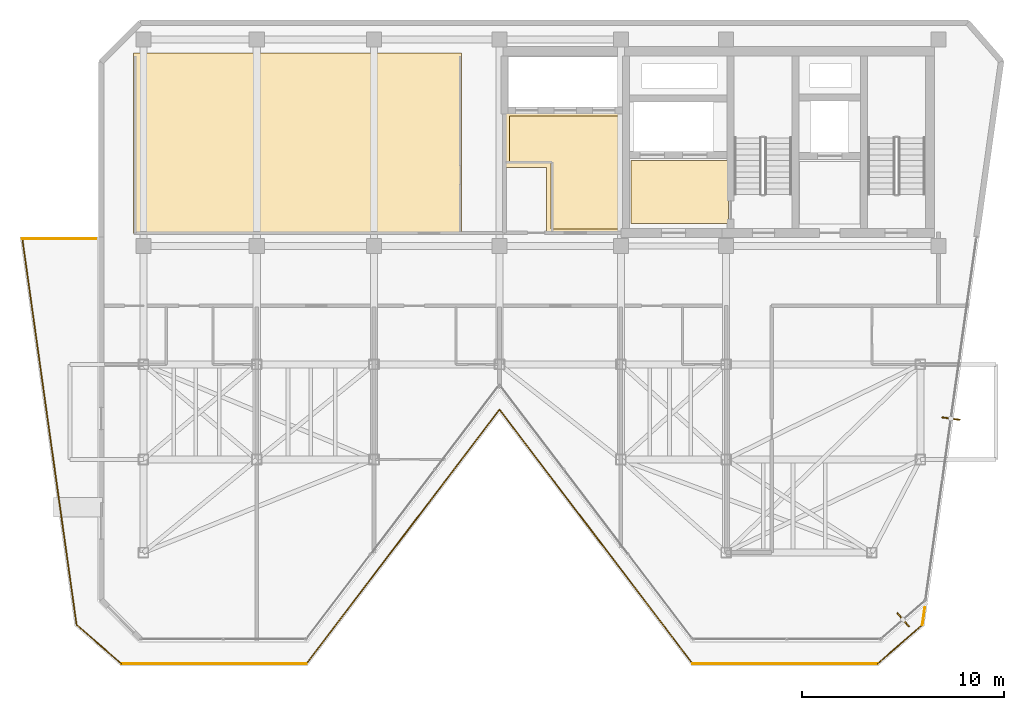
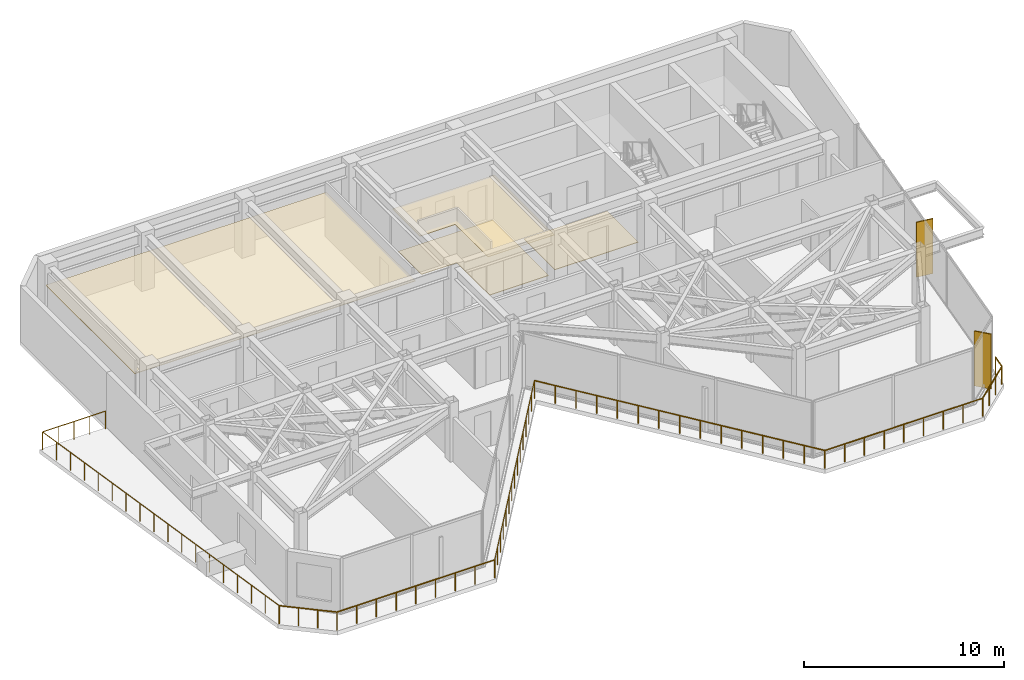
# One storey, part 19 of 20: 9 railings, 4 coverings, 2 shading devices.
"""IFC4 building model written with IfcOpenShell, lengths in metres."""

from ifc_helpers import new_model, si_unit, direction, frame, origin, origin_2d, place, context, subcontext, project, spatial, polyline, rectangle, circle, outline, extrude, material, layer, layer_set, type_object, element, save


model = new_model("IFC4")

# Units and contexts
model_context = context("Model", 3, precision=1e-05, world=origin(), true_north=direction((0.0, 1.0)))
body_context = subcontext(model_context, "Body", "Model", "MODEL_VIEW")
ifc_project = project(units=[si_unit("LENGTHUNIT", "METRE"), si_unit("AREAUNIT", "SQUARE_METRE"), si_unit("VOLUMEUNIT", "CUBIC_METRE"), si_unit("PLANEANGLEUNIT", "RADIAN"), si_unit("MASSUNIT", "GRAM", prefix="KILO")], contexts=[model_context])

# Site, building, storey
site_placement = place(None, origin())
site = spatial("IfcSite", under=ifc_project, at=site_placement, CompositionType="ELEMENT")
building_placement = place(site_placement, origin())
building = spatial("IfcBuilding", under=site, at=building_placement, Name="Kravanh Interchange Tower", CompositionType="ELEMENT")
storey_placement = place(building_placement, frame((0.0, 0.0, 245.39990234375)))
storey = spatial("IfcBuildingStorey", under=building, at=storey_placement, Name="L59", CompositionType="ELEMENT", Elevation=245.39990234375)

# Coverings
ifc_material_1 = material(Name="Cementitious Terrazzo Tile")
ifc_layer_1 = layer(ifc_material_1, 0.030029296875)
ifc_layer_set_1 = layer_set([ifc_layer_1], Name="Honed Terrazzo Lobby Flooring 30mm")
covering_type_1 = type_object("IfcCoveringType", Name="Honed Terrazzo Lobby Flooring 30mm", PredefinedType="FLOORING", material=ifc_layer_set_1)
covering_1_placement = place(storey_placement, origin())
element("IfcCovering", 1, at=covering_1_placement, inside=storey, type_object=covering_type_1, Name="L59 Firefighting Lobby Floor Finish", PredefinedType="FLOORING", context=body_context, shape_type="SweptSolid", body=[
    extrude(outline(polyline([(56.1201171875, 38.4599609375), (51.300048828125, 38.4599609375), (51.300048828125, 41.580078125), (56.1201171875, 41.580078125), (56.1201171875, 38.4599609375)])), origin(), (0.0, 0.0, 1.0), 0.030029296875),
])
covering_2_placement = place(storey_placement, origin())
element("IfcCovering", 2, at=covering_2_placement, inside=storey, type_object=covering_type_1, Name="L59 High-Rise Lift Lobby Floor Finish", PredefinedType="FLOORING", context=body_context, shape_type="SweptSolid", body=[
    extrude(outline(polyline([(50.77001953125, 43.77001953125), (50.77001953125, 38.179931640625), (47.35009765625, 38.179931640625), (47.35009765625, 41.449951171875), (45.300048828125, 41.449951171875), (45.300048828125, 43.77001953125), (50.77001953125, 43.77001953125)])), origin(), (0.0, 0.0, 1.0), 0.030029296875),
])
ifc_material_2 = material(Name="Anodised Bronze Aluminium Acoustic Baffle", Category="aluminium")
ifc_layer_2 = layer(ifc_material_2, 0.034912109375)
ifc_layer_set_2 = layer_set([ifc_layer_2], Name="Linear Bronze Baffle Feature Ceiling 35mm")
covering_type_2 = type_object("IfcCoveringType", Name="Linear Bronze Baffle Feature Ceiling 35mm", PredefinedType="CEILING", material=ifc_layer_set_2)
covering_3_placement = place(storey_placement, frame((0.0, 0.0, 2.550048828125)))
element("IfcCovering", 3, at=covering_3_placement, inside=storey, type_object=covering_type_2, Name="L59 Guest Wellness Fitness Lounge Suspended Ceiling", PredefinedType="CEILING", context=body_context, shape_type="SweptSolid", body=[
    extrude(outline(polyline([(42.929931640625, 46.889892578125), (42.929931640625, 37.9599609375), (26.7099609375, 37.9599609375), (26.7099609375, 46.889892578125), (42.929931640625, 46.889892578125)])), origin(), (0.0, 0.0, 1.0), 0.03515625),
])
ifc_material_3 = material(Name="Acoustic Mineral Fibre Tile on Aluminium Grid", Category="aluminium")
ifc_layer_3 = layer(ifc_material_3, 0.02490234375)
ifc_layer_set_3 = layer_set([ifc_layer_3], Name="Perforated Acoustic Mineral Ceiling 25mm")
covering_type_3 = type_object("IfcCoveringType", Name="Perforated Acoustic Mineral Ceiling 25mm", PredefinedType="CEILING", material=ifc_layer_set_3)
covering_4_placement = place(storey_placement, frame((0.0, 0.0, 2.550048828125)))
element("IfcCovering", 4, at=covering_4_placement, inside=storey, type_object=covering_type_3, Name="L59 High-Rise Lift Lobby Suspended Ceiling", PredefinedType="CEILING", context=body_context, shape_type="SweptSolid", body=[
    extrude(outline(polyline([(47.1298828125, 37.9599609375), (47.1298828125, 41.22998046875), (45.080078125, 41.22998046875), (45.080078125, 43.989990234375), (50.989990234375, 43.989990234375), (50.989990234375, 37.9599609375), (47.1298828125, 37.9599609375)])), origin(), (0.0, 0.0, 1.0), 0.025146484375),
])

# Railings
ifc_material_4 = material(Name="Stainless Steel 316", Category="steel")
ifc_layer_4 = layer(ifc_material_4, 0.06005859375)
ifc_layer_set_4 = layer_set([ifc_layer_4], Name="Perimeter Balcony and Terrace Guardrail Stainless 316 1120mm")
railing_type = type_object("IfcRailingType", Name="Perimeter Balcony and Terrace Guardrail Stainless 316 1120mm", PredefinedType="GUARDRAIL", material=ifc_layer_set_4)
railing_1_placement = place(storey_placement, frame((63.479248046875, 16.699951171875, 0.0)))
element("IfcRailing", 5, at=railing_1_placement, inside=storey, type_object=railing_type, Name="L59 Stepped Terrace Guardrail 1", PredefinedType="GUARDRAIL", context=body_context, shape_type="SweptSolid", body=[
    extrude(circle(Radius=0.02392578125, at=origin_2d()), frame((0.0, 0.0, 1.09619140625), z_axis=(-1.0, 0.0, 0.0), x_axis=(0.0, -1.0, 0.0)), (0.0, 0.0, 1.0), 9.129638671875),
    extrude(circle(Radius=0.02099609375, at=origin_2d()), origin(), (0.0, 0.0, 1.0), 1.072021484375),
    extrude(circle(Radius=0.02099609375, at=origin_2d()), frame((-1.14111328125, 0.0, 0.0)), (0.0, 0.0, 1.0), 1.072021484375),
    extrude(circle(Radius=0.02099609375, at=origin_2d()), frame((-2.282470703125, 0.0, 0.0)), (0.0, 0.0, 1.0), 1.072021484375),
    extrude(circle(Radius=0.02099609375, at=origin_2d()), frame((-3.423583984375, 0.0, 0.0)), (0.0, 0.0, 1.0), 1.072021484375),
    extrude(circle(Radius=0.02099609375, at=origin_2d()), frame((-4.56494140625, 0.0, 0.0)), (0.0, 0.0, 1.0), 1.072021484375),
    extrude(circle(Radius=0.02099609375, at=origin_2d()), frame((-5.7060546875, 0.0, 0.0)), (0.0, 0.0, 1.0), 1.072021484375),
    extrude(circle(Radius=0.02099609375, at=origin_2d()), frame((-6.84716796875, 0.0, 0.0)), (0.0, 0.0, 1.0), 1.072021484375),
    extrude(circle(Radius=0.02099609375, at=origin_2d()), frame((-7.988525390625, 0.0, 0.0)), (0.0, 0.0, 1.0), 1.072021484375),
    extrude(circle(Radius=0.02099609375, at=origin_2d()), frame((-9.129638671875, 0.0, 0.0)), (0.0, 0.0, 1.0), 1.072021484375),
])
railing_2_placement = place(storey_placement, frame((54.349609375, 16.699951171875, 0.0)))
element("IfcRailing", 6, at=railing_2_placement, inside=storey, type_object=railing_type, Name="L59 Stepped Terrace Guardrail 2", PredefinedType="GUARDRAIL", context=body_context, shape_type="SweptSolid", body=[
    extrude(circle(Radius=0.02392578125, at=origin_2d()), frame((0.0, 0.0, 1.09619140625), z_axis=(-0.605076599766, 0.796167261582, 0.0), x_axis=(-0.796167261582, -0.605076599766, 0.0)), (0.0, 0.0, 1.0), 15.782470703125),
    extrude(circle(Radius=0.02099609375, at=origin_2d()), origin(), (0.0, 0.0, 1.0), 1.072021484375),
    extrude(circle(Radius=0.02099609375, at=origin_2d()), frame((-0.68212890625, 0.8974609375, 0.0)), (0.0, 0.0, 1.0), 1.072021484375),
    extrude(circle(Radius=0.02099609375, at=origin_2d()), frame((-1.3642578125, 1.795166015625, 0.0)), (0.0, 0.0, 1.0), 1.072021484375),
    extrude(circle(Radius=0.02099609375, at=origin_2d()), frame((-2.04638671875, 2.692626953125, 0.0)), (0.0, 0.0, 1.0), 1.072021484375),
    extrude(circle(Radius=0.02099609375, at=origin_2d()), frame((-2.728515625, 3.590087890625, 0.0)), (0.0, 0.0, 1.0), 1.072021484375),
    extrude(circle(Radius=0.02099609375, at=origin_2d()), frame((-3.41064453125, 4.487548828125, 0.0)), (0.0, 0.0, 1.0), 1.072021484375),
    extrude(circle(Radius=0.02099609375, at=origin_2d()), frame((-4.0927734375, 5.38525390625, 0.0)), (0.0, 0.0, 1.0), 1.072021484375),
    extrude(circle(Radius=0.02099609375, at=origin_2d()), frame((-4.77490234375, 6.28271484375, 0.0)), (0.0, 0.0, 1.0), 1.072021484375),
    extrude(circle(Radius=0.02099609375, at=origin_2d()), frame((-5.456787109375, 7.18017578125, 0.0)), (0.0, 0.0, 1.0), 1.072021484375),
    extrude(circle(Radius=0.02099609375, at=origin_2d()), frame((-6.138916015625, 8.077880859375, 0.0)), (0.0, 0.0, 1.0), 1.072021484375),
    extrude(circle(Radius=0.02099609375, at=origin_2d()), frame((-6.821044921875, 8.975341796875, 0.0)), (0.0, 0.0, 1.0), 1.072021484375),
    extrude(circle(Radius=0.02099609375, at=origin_2d()), frame((-7.503173828125, 9.872802734375, 0.0)), (0.0, 0.0, 1.0), 1.072021484375),
    extrude(circle(Radius=0.02099609375, at=origin_2d()), frame((-8.185302734375, 10.770263671875, 0.0)), (0.0, 0.0, 1.0), 1.072021484375),
    extrude(circle(Radius=0.02099609375, at=origin_2d()), frame((-8.867431640625, 11.66796875, 0.0)), (0.0, 0.0, 1.0), 1.072021484375),
    extrude(circle(Radius=0.02099609375, at=origin_2d()), frame((-9.549560546875, 12.5654296875, 0.0)), (0.0, 0.0, 1.0), 1.072021484375),
])
railing_3_placement = place(storey_placement, frame((44.800048828125, 29.265380859375, 0.0)))
element("IfcRailing", 7, at=railing_3_placement, inside=storey, type_object=railing_type, Name="L59 Stepped Terrace Guardrail 3", PredefinedType="GUARDRAIL", context=body_context, shape_type="SweptSolid", body=[
    extrude(circle(Radius=0.02392578125, at=origin_2d()), frame((0.0, 0.0, 1.09619140625), z_axis=(-0.605076599766, -0.796167261582, 0.0), x_axis=(0.796167261582, -0.605076599766, 0.0)), (0.0, 0.0, 1.0), 15.782470703125),
    extrude(circle(Radius=0.02099609375, at=origin_2d()), origin(), (0.0, 0.0, 1.0), 1.072021484375),
    extrude(circle(Radius=0.02099609375, at=origin_2d()), frame((-0.68212890625, -0.8974609375, 0.0)), (0.0, 0.0, 1.0), 1.072021484375),
    extrude(circle(Radius=0.02099609375, at=origin_2d()), frame((-1.3642578125, -1.795166015625, 0.0)), (0.0, 0.0, 1.0), 1.072021484375),
    extrude(circle(Radius=0.02099609375, at=origin_2d()), frame((-2.04638671875, -2.692626953125, 0.0)), (0.0, 0.0, 1.0), 1.072021484375),
    extrude(circle(Radius=0.02099609375, at=origin_2d()), frame((-2.728515625, -3.590087890625, 0.0)), (0.0, 0.0, 1.0), 1.072021484375),
    extrude(circle(Radius=0.02099609375, at=origin_2d()), frame((-3.41064453125, -4.487548828125, 0.0)), (0.0, 0.0, 1.0), 1.072021484375),
    extrude(circle(Radius=0.02099609375, at=origin_2d()), frame((-4.0927734375, -5.38525390625, 0.0)), (0.0, 0.0, 1.0), 1.072021484375),
    extrude(circle(Radius=0.02099609375, at=origin_2d()), frame((-4.77490234375, -6.28271484375, 0.0)), (0.0, 0.0, 1.0), 1.072021484375),
    extrude(circle(Radius=0.02099609375, at=origin_2d()), frame((-5.456787109375, -7.18017578125, 0.0)), (0.0, 0.0, 1.0), 1.072021484375),
    extrude(circle(Radius=0.02099609375, at=origin_2d()), frame((-6.138916015625, -8.077880859375, 0.0)), (0.0, 0.0, 1.0), 1.072021484375),
    extrude(circle(Radius=0.02099609375, at=origin_2d()), frame((-6.821044921875, -8.975341796875, 0.0)), (0.0, 0.0, 1.0), 1.072021484375),
    extrude(circle(Radius=0.02099609375, at=origin_2d()), frame((-7.503173828125, -9.872802734375, 0.0)), (0.0, 0.0, 1.0), 1.072021484375),
    extrude(circle(Radius=0.02099609375, at=origin_2d()), frame((-8.185302734375, -10.770263671875, 0.0)), (0.0, 0.0, 1.0), 1.072021484375),
    extrude(circle(Radius=0.02099609375, at=origin_2d()), frame((-8.867431640625, -11.66796875, 0.0)), (0.0, 0.0, 1.0), 1.072021484375),
    extrude(circle(Radius=0.02099609375, at=origin_2d()), frame((-9.549560546875, -12.5654296875, 0.0)), (0.0, 0.0, 1.0), 1.072021484375),
])
railing_4_placement = place(storey_placement, frame((35.25048828125, 16.699951171875, 0.0)))
element("IfcRailing", 8, at=railing_4_placement, inside=storey, type_object=railing_type, Name="L59 Stepped Terrace Guardrail 4", PredefinedType="GUARDRAIL", context=body_context, shape_type="SweptSolid", body=[
    extrude(circle(Radius=0.02392578125, at=origin_2d()), frame((0.0, 0.0, 1.09619140625), z_axis=(-1.0, 0.0, 0.0), x_axis=(0.0, -1.0, 0.0)), (0.0, 0.0, 1.0), 9.1298828125),
    extrude(circle(Radius=0.02099609375, at=origin_2d()), origin(), (0.0, 0.0, 1.0), 1.072021484375),
    extrude(circle(Radius=0.02099609375, at=origin_2d()), frame((-1.14111328125, 0.0, 0.0)), (0.0, 0.0, 1.0), 1.072021484375),
    extrude(circle(Radius=0.02099609375, at=origin_2d()), frame((-2.282470703125, 0.0, 0.0)), (0.0, 0.0, 1.0), 1.072021484375),
    extrude(circle(Radius=0.02099609375, at=origin_2d()), frame((-3.423828125, 0.0, 0.0)), (0.0, 0.0, 1.0), 1.072021484375),
    extrude(circle(Radius=0.02099609375, at=origin_2d()), frame((-4.56494140625, 0.0, 0.0)), (0.0, 0.0, 1.0), 1.072021484375),
    extrude(circle(Radius=0.02099609375, at=origin_2d()), frame((-5.7060546875, 0.0, 0.0)), (0.0, 0.0, 1.0), 1.072021484375),
    extrude(circle(Radius=0.02099609375, at=origin_2d()), frame((-6.847412109375, 0.0, 0.0)), (0.0, 0.0, 1.0), 1.072021484375),
    extrude(circle(Radius=0.02099609375, at=origin_2d()), frame((-7.98876953125, 0.0, 0.0)), (0.0, 0.0, 1.0), 1.072021484375),
    extrude(circle(Radius=0.02099609375, at=origin_2d()), frame((-9.1298828125, 0.0, 0.0)), (0.0, 0.0, 1.0), 1.072021484375),
])
railing_5_placement = place(storey_placement, frame((26.12060546875, 16.699951171875, 0.0)))
element("IfcRailing", 9, at=railing_5_placement, inside=storey, type_object=railing_type, Name="L59 Stepped Terrace Guardrail 5", PredefinedType="GUARDRAIL", context=body_context, shape_type="SweptSolid", body=[
    extrude(circle(Radius=0.02392578125, at=origin_2d()), frame((0.0, 0.0, 1.09619140625), z_axis=(-0.754725125489, 0.65604114578, 0.0), x_axis=(-0.65604114578, -0.754725125489, 0.0)), (0.0, 0.0, 1.0), 2.944091796875),
    extrude(circle(Radius=0.02099609375, at=origin_2d()), origin(), (0.0, 0.0, 1.0), 1.072021484375),
    extrude(circle(Radius=0.02099609375, at=origin_2d()), frame((-0.74072265625, 0.643798828125, 0.0)), (0.0, 0.0, 1.0), 1.072021484375),
    extrude(circle(Radius=0.02099609375, at=origin_2d()), frame((-1.481201171875, 1.28759765625, 0.0)), (0.0, 0.0, 1.0), 1.072021484375),
    extrude(circle(Radius=0.02099609375, at=origin_2d()), frame((-2.221923828125, 1.931396484375, 0.0)), (0.0, 0.0, 1.0), 1.072021484375),
])
railing_6_placement = place(storey_placement, frame((23.898681640625, 18.63134765625, 0.0)))
element("IfcRailing", 10, at=railing_6_placement, inside=storey, type_object=railing_type, Name="L59 Stepped Terrace Guardrail 6", PredefinedType="GUARDRAIL", context=body_context, shape_type="SweptSolid", body=[
    extrude(circle(Radius=0.02392578125, at=origin_2d()), frame((0.0, 0.0, 1.09619140625), z_axis=(-0.139173823392, 0.99026796721, 0.0), x_axis=(-0.99026796721, -0.139173823392, 0.0)), (0.0, 0.0, 1.0), 19.256103515625),
    extrude(circle(Radius=0.02099609375, at=origin_2d()), origin(), (0.0, 0.0, 1.0), 1.072021484375),
    extrude(circle(Radius=0.02099609375, at=origin_2d()), frame((-0.15771484375, 1.12158203125, 0.0)), (0.0, 0.0, 1.0), 1.072021484375),
    extrude(circle(Radius=0.02099609375, at=origin_2d()), frame((-0.315185546875, 2.243408203125, 0.0)), (0.0, 0.0, 1.0), 1.072021484375),
    extrude(circle(Radius=0.02099609375, at=origin_2d()), frame((-0.472900390625, 3.364990234375, 0.0)), (0.0, 0.0, 1.0), 1.072021484375),
    extrude(circle(Radius=0.02099609375, at=origin_2d()), frame((-0.630615234375, 4.48681640625, 0.0)), (0.0, 0.0, 1.0), 1.072021484375),
    extrude(circle(Radius=0.02099609375, at=origin_2d()), frame((-0.788330078125, 5.6083984375, 0.0)), (0.0, 0.0, 1.0), 1.072021484375),
    extrude(circle(Radius=0.02099609375, at=origin_2d()), frame((-0.94580078125, 6.72998046875, 0.0)), (0.0, 0.0, 1.0), 1.072021484375),
    extrude(circle(Radius=0.02099609375, at=origin_2d()), frame((-1.103515625, 7.851806640625, 0.0)), (0.0, 0.0, 1.0), 1.072021484375),
    extrude(circle(Radius=0.02099609375, at=origin_2d()), frame((-1.26123046875, 8.973388671875, 0.0)), (0.0, 0.0, 1.0), 1.072021484375),
    extrude(circle(Radius=0.02099609375, at=origin_2d()), frame((-1.418701171875, 10.09521484375, 0.0)), (0.0, 0.0, 1.0), 1.072021484375),
    extrude(circle(Radius=0.02099609375, at=origin_2d()), frame((-1.576416015625, 11.216796875, 0.0)), (0.0, 0.0, 1.0), 1.072021484375),
    extrude(circle(Radius=0.02099609375, at=origin_2d()), frame((-1.734130859375, 12.338623046875, 0.0)), (0.0, 0.0, 1.0), 1.072021484375),
    extrude(circle(Radius=0.02099609375, at=origin_2d()), frame((-1.8916015625, 13.460205078125, 0.0)), (0.0, 0.0, 1.0), 1.072021484375),
    extrude(circle(Radius=0.02099609375, at=origin_2d()), frame((-2.04931640625, 14.581787109375, 0.0)), (0.0, 0.0, 1.0), 1.072021484375),
    extrude(circle(Radius=0.02099609375, at=origin_2d()), frame((-2.20703125, 15.70361328125, 0.0)), (0.0, 0.0, 1.0), 1.072021484375),
    extrude(circle(Radius=0.02099609375, at=origin_2d()), frame((-2.36474609375, 16.8251953125, 0.0)), (0.0, 0.0, 1.0), 1.072021484375),
    extrude(circle(Radius=0.02099609375, at=origin_2d()), frame((-2.522216796875, 17.947021484375, 0.0)), (0.0, 0.0, 1.0), 1.072021484375),
    extrude(circle(Radius=0.02099609375, at=origin_2d()), frame((-2.679931640625, 19.068603515625, 0.0)), (0.0, 0.0, 1.0), 1.072021484375),
])
railing_7_placement = place(storey_placement, frame((21.21875, 37.699951171875, 0.0)))
element("IfcRailing", 11, at=railing_7_placement, inside=storey, type_object=railing_type, Name="L59 Stepped Terrace Guardrail 7", PredefinedType="GUARDRAIL", context=body_context, shape_type="SweptSolid", body=[
    extrude(circle(Radius=0.02392578125, at=origin_2d()), frame((0.0, 0.0, 1.09619140625), z_axis=(1.0, 0.0, 0.0), x_axis=(0.0, 1.0, 0.0)), (0.0, 0.0, 1.0), 3.641357421875),
    extrude(circle(Radius=0.02099609375, at=origin_2d()), origin(), (0.0, 0.0, 1.0), 1.072021484375),
    extrude(circle(Radius=0.02099609375, at=origin_2d()), frame((0.910400390625, 0.0, 0.0)), (0.0, 0.0, 1.0), 1.072021484375),
    extrude(circle(Radius=0.02099609375, at=origin_2d()), frame((1.82080078125, 0.0, 0.0)), (0.0, 0.0, 1.0), 1.072021484375),
    extrude(circle(Radius=0.02099609375, at=origin_2d()), frame((2.73095703125, 0.0, 0.0)), (0.0, 0.0, 1.0), 1.072021484375),
    extrude(circle(Radius=0.02099609375, at=origin_2d()), frame((3.641357421875, 0.0, 0.0)), (0.0, 0.0, 1.0), 1.072021484375),
])
railing_8_placement = place(storey_placement, frame((65.819091796875, 19.46923828125, 0.0)))
element("IfcRailing", 12, at=railing_8_placement, inside=storey, type_object=railing_type, Name="L59 Stepped Terrace Guardrail 15", PredefinedType="GUARDRAIL", context=body_context, shape_type="SweptSolid", body=[
    extrude(circle(Radius=0.02392578125, at=origin_2d()), frame((0.0, 0.0, 1.09619140625), z_axis=(-0.139077986597, -0.990281431536, 0.0), x_axis=(0.990281431536, -0.139077986597, 0.0)), (0.0, 0.0, 1.0), 0.84619140625),
    extrude(circle(Radius=0.02099609375, at=origin_2d()), origin(), (0.0, 0.0, 1.0), 1.072021484375),
    extrude(circle(Radius=0.02099609375, at=origin_2d()), frame((-0.11767578125, -0.837890625, 0.0)), (0.0, 0.0, 1.0), 1.072021484375),
])
railing_9_placement = place(storey_placement, frame((65.701416015625, 18.63134765625, 0.0)))
element("IfcRailing", 13, at=railing_9_placement, inside=storey, type_object=railing_type, Name="L59 Stepped Terrace Guardrail 16", PredefinedType="GUARDRAIL", context=body_context, shape_type="SweptSolid", body=[
    extrude(circle(Radius=0.02392578125, at=origin_2d()), frame((0.0, 0.0, 1.09619140625), z_axis=(-0.754760813396, -0.656000087319, 0.0), x_axis=(0.656000087319, -0.754760813396, 0.0)), (0.0, 0.0, 1.0), 2.944091796875),
    extrude(circle(Radius=0.02099609375, at=origin_2d()), origin(), (0.0, 0.0, 1.0), 1.072021484375),
    extrude(circle(Radius=0.02099609375, at=origin_2d()), frame((-0.74072265625, -0.643798828125, 0.0)), (0.0, 0.0, 1.0), 1.072021484375),
    extrude(circle(Radius=0.02099609375, at=origin_2d()), frame((-1.4814453125, -1.28759765625, 0.0)), (0.0, 0.0, 1.0), 1.072021484375),
    extrude(circle(Radius=0.02099609375, at=origin_2d()), frame((-2.22216796875, -1.931396484375, 0.0)), (0.0, 0.0, 1.0), 1.072021484375),
])

# Shading devices
ifc_material_5 = material(Name="Anodised Champagne Bronze Aluminium", Category="aluminium")
ifc_layer_5 = layer(ifc_material_5, 0.06005859375)
ifc_layer_set_5 = layer_set([ifc_layer_5], Name="Vertical Bronze Solar Fin 900mm")
shading_device_type = type_object("IfcShadingDeviceType", Name="Vertical Bronze Solar Fin 900mm", PredefinedType="USERDEFINED", material=ifc_layer_set_5)
for number, where, z_axis, x_axis, name in (
    (14, (67.113037109375, 28.82080078125, 0.0), (0.0, 0.0, 1.0), (0.990267667452, -0.139175956253, 0.0), "L59 BRONZE SOLAR FIN 1"),
    (15, (64.745849609375, 18.880859375, 0.0), (0.0, 0.0, 1.0), (0.656059788471, -0.754708920016, 0.0), "L59 BRONZE SOLAR FIN 2"),
):
    element("IfcShadingDevice", number, at=place(storey_placement, frame(where, z_axis=z_axis, x_axis=x_axis)), inside=storey, type_object=shading_device_type, Name=name, ObjectType="FIN", PredefinedType="USERDEFINED", context=body_context, shape_type="SweptSolid", body=[
        extrude(rectangle(XDim=0.89990234375, YDim=0.06005859375, at=origin_2d()), origin(), (0.0, 0.0, 1.0), 3.360107421875),
    ])

save(model, "model.ifc")
